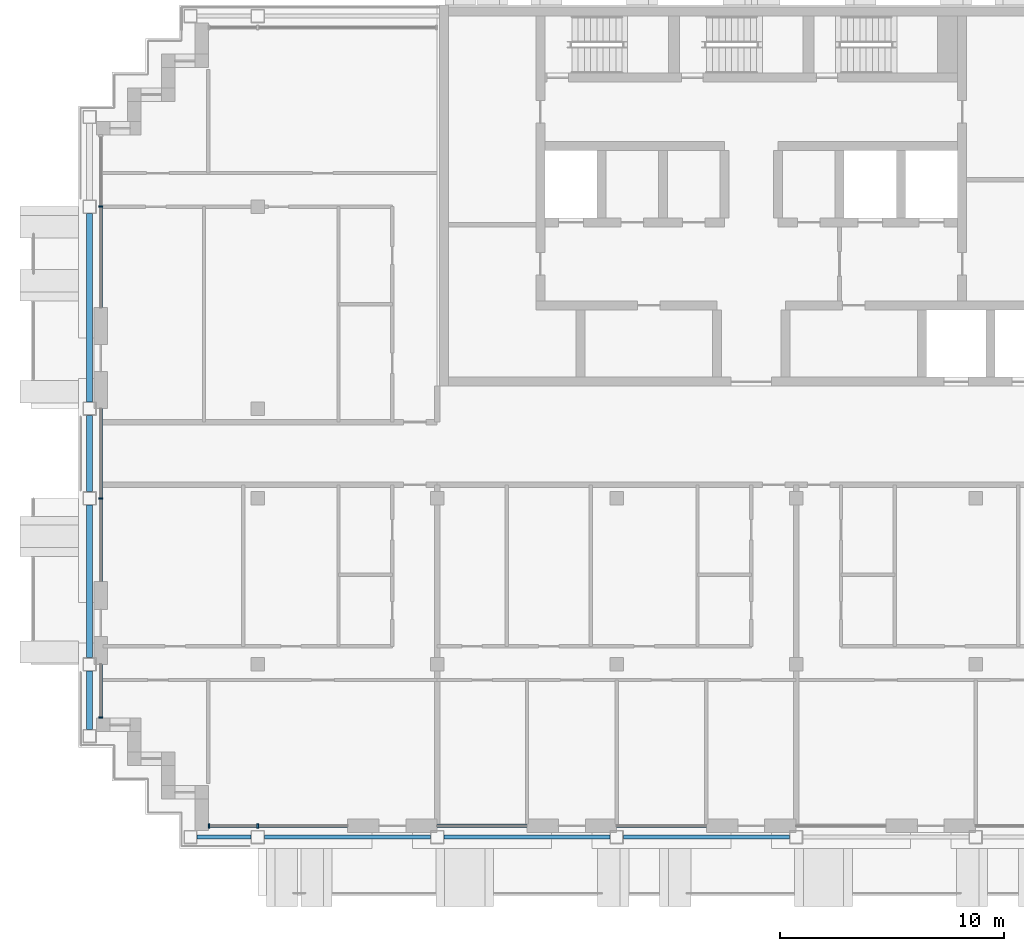
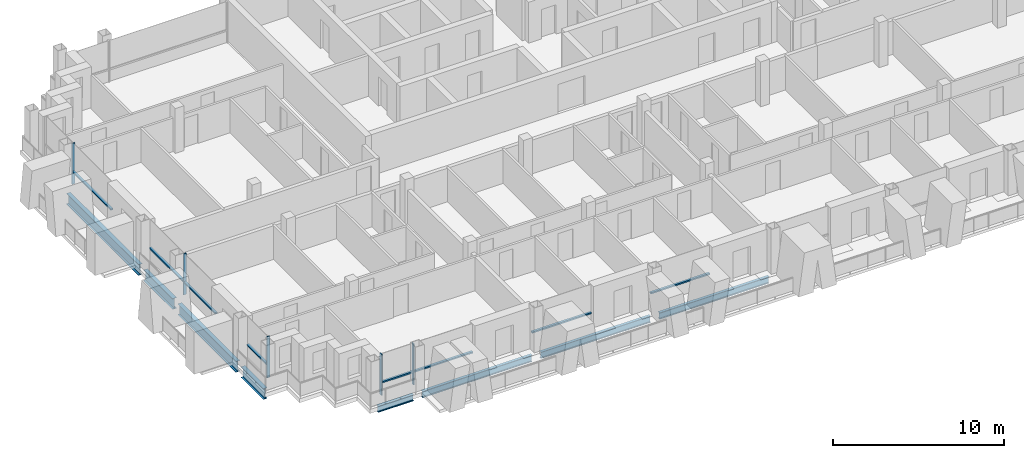
# One storey, part 2 of 15: 13 members, 8 beams, 6 elements without a shape of their own.
"""IFC4 building model written with IfcOpenShell, lengths in metres."""

import ifcopenshell
import ifcopenshell.guid

model = None  # the IFC model being written
_history = None  # IfcOwnerHistory: only IFC2X3 demands one
_inside = {}  # id of a spatial element -> (the spatial element, [elements in it])
_under = {}  # id of a project, library or spatial element -> (it, [spatial elements below it])
_declared = {}  # id of a project -> (the project, [libraries it declares])
_typed = {}  # id of a type object -> (the type object, [elements of that type])
_made_of = {}  # id of a material, layer set ... -> (it, [elements and type objects made of it])


def new_model(schema):
    """Start an empty IFC model of exactly this schema.

    Asked for "IFC4X3", IfcOpenShell would pick the latest addendum, in which some entities
    have other attributes; the version numbers below select the first issue.
    IFC2X3 requires an IfcOwnerHistory on every rooted entity: one is made here for all.
    """
    global model, _history
    if schema == "IFC4X3":
        model = ifcopenshell.file(schema_version=(4, 3, 0, 0))
    else:
        model = ifcopenshell.file(schema=schema)
    _inside.clear()
    _under.clear()
    _declared.clear()
    _typed.clear()
    _made_of.clear()
    _history = None
    if model.schema == "IFC2X3":
        org = make("IfcOrganization", Name="unknown")
        user = make(
            "IfcPersonAndOrganization",
            ThePerson=make("IfcPerson", FamilyName="unknown"),
            TheOrganization=org,
        )
        app = make(
            "IfcApplication",
            ApplicationDeveloper=org,
            Version="unknown",
            ApplicationFullName="unknown",
            ApplicationIdentifier="unknown",
        )
        _history = make(
            "IfcOwnerHistory",
            OwningUser=user,
            OwningApplication=app,
            ChangeAction="ADDED",
            CreationDate=0,
        )
    return model


def make(cls, **values):
    """One entity of the class cls with the attributes given. An attribute that is None is left unset."""
    return model.create_entity(
        cls, **{name: value for name, value in values.items() if value is not None}
    )


def rooted(cls, **values):
    """An entity with a GlobalId (a new one), such as an element, a storey or a relation."""
    return make(cls, GlobalId=ifcopenshell.guid.new(), OwnerHistory=_history, **values)


def si_unit(unit_type, name, prefix=None):
    """IfcSIUnit, for example si_unit("LENGTHUNIT", "METRE", prefix="MILLI")."""
    return make("IfcSIUnit", UnitType=unit_type, Prefix=prefix, Name=name)


def assignment(units):
    """IfcUnitAssignment: the units of a project."""
    return None if units is None else make("IfcUnitAssignment", Units=units)


def point(xyz):
    """IfcCartesianPoint."""
    return None if xyz is None else make("IfcCartesianPoint", Coordinates=xyz)


def direction(xyz):
    """IfcDirection."""
    return None if xyz is None else make("IfcDirection", DirectionRatios=xyz)


def frame(location, z_axis=None, x_axis=None):
    """IfcAxis2Placement3D, a coordinate frame: its origin and axes. An axis left out is left unset."""
    return make(
        "IfcAxis2Placement3D",
        Location=point(location),
        Axis=direction(z_axis),
        RefDirection=direction(x_axis),
    )


def frame_2d(location, x_axis=None):
    """IfcAxis2Placement2D, a coordinate frame in the plane: its origin and x axis."""
    return make(
        "IfcAxis2Placement2D", Location=point(location), RefDirection=direction(x_axis)
    )


def origin():
    """The frame at (0, 0, 0) with its axes left unset."""
    return frame((0.0, 0.0, 0.0))


def origin_2d():
    """The frame at (0, 0) in the plane with its x axis left unset."""
    return frame_2d((0.0, 0.0))


def place(relative_to, where):
    """IfcLocalPlacement: puts the frame where relative to a parent placement (None: the world)."""
    return make(
        "IfcLocalPlacement", PlacementRelTo=relative_to, RelativePlacement=where
    )


def context(
    kind, dimensions, precision=None, world=None, true_north=None, identifier=None
):
    """IfcGeometricRepresentationContext, for example the 3D "Model" context."""
    return make(
        "IfcGeometricRepresentationContext",
        ContextIdentifier=identifier,
        ContextType=kind,
        CoordinateSpaceDimension=dimensions,
        Precision=precision,
        WorldCoordinateSystem=world,
        TrueNorth=true_north,
    )


def subcontext(parent, identifier, kind, view, scale=None):
    """IfcGeometricRepresentationSubContext, for example "Body" below "Model"."""
    return make(
        "IfcGeometricRepresentationSubContext",
        ContextIdentifier=identifier,
        ContextType=kind,
        ParentContext=parent,
        TargetScale=scale,
        TargetView=view,
    )


def project(units=None, contexts=None):
    """IfcProject with its units and contexts."""
    return rooted(
        "IfcProject",
        Name="project",
        RepresentationContexts=contexts,
        UnitsInContext=assignment(units),
    )


def spatial(cls, under=None, at=None, **own):
    """A site, building, storey or space (cls), placed at a placement, below another one or the project."""
    s = rooted(cls, ObjectPlacement=at, **own)
    if under is not None:
        _under.setdefault(under.id(), (under, []))[1].append(s)
    return s


def profile(cls, at=None, kind="AREA", **sizes):
    """A parametric profile (cls). Its sizes go by their IFC names, for example OverallWidth=200.0."""
    return make(cls, ProfileType=kind, Position=at, **sizes)


def rectangle(**sizes):
    """IfcRectangleProfileDef."""
    return profile("IfcRectangleProfileDef", **sizes)


def i_section(**sizes):
    """IfcIShapeProfileDef."""
    return profile("IfcIShapeProfileDef", **sizes)


def extrude(swept, where, along, depth):
    """IfcExtrudedAreaSolid: the profile swept, set in the frame where, extruded along a direction by depth."""
    return make(
        "IfcExtrudedAreaSolid",
        SweptArea=swept,
        Position=where,
        ExtrudedDirection=direction(along),
        Depth=depth,
    )


def shape(context_of_items, identifier, shape_type, items):
    """IfcShapeRepresentation: the items that make up one representation, for example the "Body"."""
    return make(
        "IfcShapeRepresentation",
        ContextOfItems=context_of_items,
        RepresentationIdentifier=identifier,
        RepresentationType=shape_type,
        Items=items,
    )


def material(Name=None, Category=None):
    """IfcMaterial."""
    return make("IfcMaterial", Name=Name, Category=Category)


def material_profile(
    of_material, cross_section, Name=None, Category=None, Priority=None
):
    """IfcMaterialProfile: a cross section and its material."""
    return make(
        "IfcMaterialProfile",
        Name=Name,
        Material=of_material,
        Profile=cross_section,
        Priority=Priority,
        Category=Category,
    )


def profile_set(profiles, Name=None, composite=None):
    """IfcMaterialProfileSet."""
    return make(
        "IfcMaterialProfileSet",
        Name=Name,
        MaterialProfiles=profiles,
        CompositeProfile=composite,
    )


def made_of(thing, what):
    """Note that an element or type object is made of a material, layer set ...; save() writes the relation."""
    if what is not None:
        _made_of.setdefault(what.id(), (what, []))[1].append(thing)
    return thing


def type_object(cls, material=None, **own):
    """A type object (cls), such as IfcWallType, which elements share."""
    return made_of(rooted(cls, **own), material)


def element(
    cls,
    number,
    at=None,
    inside=None,
    cuts=None,
    type_object=None,
    material=None,
    context=None,
    identifier="Body",
    shape_type=None,
    held_by="IfcProductDefinitionShape",
    body=None,
    shapes=None,
    **own,
):
    """One element of the class cls, such as IfcWall. Its Tag is "e" and its number.

    at: its placement. inside: the storey or other place that contains it. cuts: it is an
    opening in that element (IfcRelVoidsElement). A single representation is given by context,
    identifier, shape_type and body (its items); several are given by shapes. held_by: the class
    of the entity that holds the representations. save() writes the other relations.
    """
    e = rooted(cls, Tag="e%d" % number, ObjectPlacement=at, **own)
    if body is not None:
        shapes = [shape(context, identifier, shape_type, body)]
    if shapes is not None:
        e.Representation = make(held_by, Representations=shapes)
    if inside is not None:
        _inside.setdefault(inside.id(), (inside, []))[1].append(e)
    if cuts is not None:
        rooted(
            "IfcRelVoidsElement", RelatingBuildingElement=cuts, RelatedOpeningElement=e
        )
    if type_object is not None:
        _typed.setdefault(type_object.id(), (type_object, []))[1].append(e)
    return made_of(e, material)


def aggregate(whole, parts):
    """IfcRelAggregates: a whole, such as a stair, and the parts it consists of."""
    return rooted("IfcRelAggregates", RelatingObject=whole, RelatedObjects=parts)


def save(model, path):
    """Write the relations noted so far, then the file.

    IfcRelAggregates (storeys below a building ...), IfcRelContainedInSpatialStructure (elements
    in a storey), IfcRelDefinesByType, IfcRelAssociatesMaterial and IfcRelDeclares: one each for
    every whole, place, type object, material and project.
    """
    for whole, parts in _under.values():
        aggregate(whole, parts)
    for where, things in _inside.values():
        rooted(
            "IfcRelContainedInSpatialStructure",
            RelatedElements=things,
            RelatingStructure=where,
        )
    for kind, things in _typed.values():
        rooted("IfcRelDefinesByType", RelatedObjects=things, RelatingType=kind)
    for what, things in _made_of.values():
        rooted("IfcRelAssociatesMaterial", RelatedObjects=things, RelatingMaterial=what)
    for by, libraries in _declared.values():
        rooted("IfcRelDeclares", RelatingContext=by, RelatedDefinitions=libraries)
    model.write(path)


model = new_model("IFC4")

# Units and contexts
model_context = context("Model", 3, precision=1e-05, world=origin(), true_north=direction((0.0, 1.0)))
body_context = subcontext(model_context, "Body", "Model", "MODEL_VIEW")
ifc_project = project(units=[si_unit("LENGTHUNIT", "METRE"), si_unit("AREAUNIT", "SQUARE_METRE"), si_unit("VOLUMEUNIT", "CUBIC_METRE"), si_unit("PLANEANGLEUNIT", "RADIAN"), si_unit("MASSUNIT", "GRAM", prefix="KILO")], contexts=[model_context])

# Site, building, storey
site_placement = place(None, origin())
site = spatial("IfcSite", under=ifc_project, at=site_placement, CompositionType="ELEMENT")
building_placement = place(site_placement, origin())
building = spatial("IfcBuilding", under=site, at=building_placement, Name="Vidyagriha Tower", CompositionType="ELEMENT")
storey_placement = place(building_placement, frame((0.0, 0.0, 233.199951171875)))
storey = spatial("IfcBuildingStorey", under=building, at=storey_placement, Name="L61", CompositionType="ELEMENT", Elevation=233.199951171875)

# Beams
ifc_material_1 = material(Name="Steel ASTM A992 Grade 50", Category="steel")
ifc_material_profile_1 = material_profile(ifc_material_1, i_section(OverallWidth=0.2666015625, OverallDepth=0.76953125, WebThickness=0.015625, FlangeThickness=0.025390625, at=origin_2d()), Name="W30X132")
ifc_profile_set_1 = profile_set([ifc_material_profile_1], Name="Steel ASTM A992 Grade 50")
beam_type_1 = type_object("IfcBeamType", Name="Cantilever edge beam W30X132", PredefinedType="SPANDREL", material=ifc_profile_set_1)
beam_1_placement = place(storey_placement, frame((-29.5, -12.300048828125, -0.664794921875), z_axis=(0.0, 1.0, 0.0), x_axis=(-1.0, 0.0, 0.0)))
element("IfcBeam", 1, at=beam_1_placement, inside=storey, type_object=beam_type_1, Name="st-beam-L61-W08", PredefinedType="SPANDREL", context=body_context, shape_type="SweptSolid", body=[
    extrude(i_section(OverallWidth=0.2666015625, OverallDepth=0.76953125, WebThickness=0.015625, FlangeThickness=0.025390625, at=origin_2d()), origin(), (0.0, 0.0, 1.0), 2.60009765625),
])
beam_2_placement = place(storey_placement, frame((-29.5, -9.10009765625, -0.664794921875), z_axis=(0.0, 1.0, 0.0), x_axis=(-1.0, 0.0, 0.0)))
element("IfcBeam", 2, at=beam_2_placement, inside=storey, type_object=beam_type_1, Name="st-beam-L61-W09", PredefinedType="SPANDREL", context=body_context, shape_type="SweptSolid", body=[
    extrude(i_section(OverallWidth=0.2666015625, OverallDepth=0.76953125, WebThickness=0.015625, FlangeThickness=0.025390625, at=origin_2d()), origin(), (0.0, 0.0, 1.0), 6.800048828125),
])
beam_3_placement = place(storey_placement, frame((-29.5, -1.699951171875, -0.664794921875), z_axis=(0.0, 1.0, 0.0), x_axis=(-1.0, 0.0, 0.0)))
element("IfcBeam", 3, at=beam_3_placement, inside=storey, type_object=beam_type_1, Name="st-beam-L61-W10", PredefinedType="SPANDREL", context=body_context, shape_type="SweptSolid", body=[
    extrude(i_section(OverallWidth=0.2666015625, OverallDepth=0.76953125, WebThickness=0.015625, FlangeThickness=0.025390625, at=origin_2d()), origin(), (0.0, 0.0, 1.0), 3.39990234375),
])
beam_4_placement = place(storey_placement, frame((-29.5, 2.300048828125, -0.664794921875), z_axis=(0.0, 1.0, 0.0), x_axis=(-1.0, 0.0, 0.0)))
element("IfcBeam", 4, at=beam_4_placement, inside=storey, type_object=beam_type_1, Name="st-beam-L61-W11", PredefinedType="SPANDREL", context=body_context, shape_type="SweptSolid", body=[
    extrude(i_section(OverallWidth=0.2666015625, OverallDepth=0.76953125, WebThickness=0.015625, FlangeThickness=0.025390625, at=origin_2d()), origin(), (0.0, 0.0, 1.0), 8.39990234375),
])
ifc_material_2 = material(Name="Steel ASTM A992 Grade 50", Category="steel")
ifc_material_profile_2 = material_profile(ifc_material_2, i_section(OverallWidth=0.19189453125, OverallDepth=0.46240234375, WebThickness=0.010498046875, FlangeThickness=0.017578125, at=origin_2d()), Name="W18X60")
ifc_profile_set_2 = profile_set([ifc_material_profile_2], Name="Steel ASTM A992 Grade 50")
beam_type_2 = type_object("IfcBeamType", Name="Edge beam W18X60", PredefinedType="SPANDREL", material=ifc_profile_set_2)
beam_5_placement = place(storey_placement, frame((-24.699951171875, -17.10009765625, -0.510986328125), z_axis=(1.0, 0.0, 0.0), x_axis=(0.0, 1.0, 0.0)))
element("IfcBeam", 5, at=beam_5_placement, inside=storey, type_object=beam_type_2, Name="st-beam-L61-S01", PredefinedType="SPANDREL", context=body_context, shape_type="SweptSolid", body=[
    extrude(i_section(OverallWidth=0.19189453125, OverallDepth=0.46240234375, WebThickness=0.010498046875, FlangeThickness=0.017578125, at=origin_2d()), origin(), (0.0, 0.0, 1.0), 2.39990234375),
])
for number, where, z_axis, x_axis, name in (
    (6, (-21.699951171875, -17.10009765625, -0.510986328125), (1.0, 0.0, 0.0), (0.0, 1.0, 0.0), "st-beam-L61-S02"),
    (7, (-13.699951171875, -17.10009765625, -0.510986328125), (1.0, 0.0, 0.0), (0.0, 1.0, 0.0), "st-beam-L61-S03"),
    (8, (-5.699951171875, -17.10009765625, -0.510986328125), (1.0, 0.0, 0.0), (0.0, 1.0, 0.0), "st-beam-L61-S04"),
):
    element("IfcBeam", number, at=place(storey_placement, frame(where, z_axis=z_axis, x_axis=x_axis)), inside=storey, type_object=beam_type_2, Name=name, PredefinedType="SPANDREL", context=body_context, shape_type="SweptSolid", body=[
        extrude(i_section(OverallWidth=0.19189453125, OverallDepth=0.46240234375, WebThickness=0.010498046875, FlangeThickness=0.017578125, at=origin_2d()), origin(), (0.0, 0.0, 1.0), 7.39990234375),
    ])

# Curtain wall, member
ifc_material_3 = material(Name="Aluminium and glass curtain wall", Category="aluminium")
curtain_wall_type = type_object("IfcCurtainWallType", Name="Dwelling skin unitised curtain wall", PredefinedType="USERDEFINED", material=ifc_material_3)
curtain_wall_1_placement = place(storey_placement, origin())
curtain_wall_1 = element("IfcCurtainWall", 9, at=curtain_wall_1_placement, inside=storey, type_object=curtain_wall_type, Name="CW1 dwelling skin", ObjectType="UNITISED", PredefinedType="USERDEFINED")
ifc_material_4 = material(Name="Aluminium black anodised", Category="aluminium")
ifc_material_profile_3 = material_profile(ifc_material_4, rectangle(XDim=0.199951171875, YDim=0.070068359375, at=origin_2d()), Name="Mullion 70x200 black aluminium")
ifc_profile_set_3 = profile_set([ifc_material_profile_3], Name="Aluminium black anodised")
member_type_1 = type_object("IfcMemberType", Name="Mullion 70x200 black aluminium", PredefinedType="MULLION", material=ifc_profile_set_3)
member_1_placement = place(storey_placement, frame((-29.0, 11.0, 0.0)))
member_1 = element("IfcMember", 10, at=member_1_placement, type_object=member_type_1, Name="CW1 mullion 2", PredefinedType="MULLION", context=body_context, shape_type="SweptSolid", body=[
    extrude(rectangle(XDim=0.199951171875, YDim=0.070068359375, at=origin_2d()), origin(), (0.0, 0.0, 1.0), 2.920166015625),
])

curtain_wall_2_placement = place(storey_placement, origin())
curtain_wall_2 = element("IfcCurtainWall", 11, at=curtain_wall_2_placement, inside=storey, type_object=curtain_wall_type, Name="CW1 dwelling skin", ObjectType="UNITISED", PredefinedType="USERDEFINED")
member_2_placement = place(storey_placement, frame((-29.0, -2.0, 0.0)))
member_2 = element("IfcMember", 12, at=member_2_placement, type_object=member_type_1, Name="CW1 mullion 2", PredefinedType="MULLION", context=body_context, shape_type="SweptSolid", body=[
    extrude(rectangle(XDim=0.199951171875, YDim=0.070068359375, at=origin_2d()), origin(), (0.0, 0.0, 1.0), 2.920166015625),
])

curtain_wall_3_placement = place(storey_placement, origin())
curtain_wall_3 = element("IfcCurtainWall", 13, at=curtain_wall_3_placement, inside=storey, type_object=curtain_wall_type, Name="CW1 dwelling skin", ObjectType="UNITISED", PredefinedType="USERDEFINED")
member_3_placement = place(storey_placement, frame((-29.0, -11.764892578125, 0.0)))
member_3 = element("IfcMember", 14, at=member_3_placement, type_object=member_type_1, Name="CW1 mullion 2", PredefinedType="MULLION", context=body_context, shape_type="SweptSolid", body=[
    extrude(rectangle(XDim=0.199951171875, YDim=0.070068359375, at=origin_2d()), origin(), (0.0, 0.0, 1.0), 2.920166015625),
])

# Curtain wall, members
curtain_wall_4_placement = place(storey_placement, origin())
curtain_wall_4 = element("IfcCurtainWall", 15, at=curtain_wall_4_placement, inside=storey, type_object=curtain_wall_type, Name="CW1 dwelling skin", ObjectType="UNITISED", PredefinedType="USERDEFINED")
member_4_placement = place(storey_placement, frame((-24.1650390625, -16.60009765625, 0.0), z_axis=(0.0, 0.0, 1.0), x_axis=(0.0, 1.0, 0.0)))
member_4 = element("IfcMember", 16, at=member_4_placement, type_object=member_type_1, Name="CW1 mullion 1", PredefinedType="MULLION", context=body_context, shape_type="SweptSolid", body=[
    extrude(rectangle(XDim=0.199951171875, YDim=0.070068359375, at=origin_2d()), origin(), (0.0, 0.0, 1.0), 2.920166015625),
])
member_5_placement = place(storey_placement, frame((-22.0, -16.60009765625, 0.0), z_axis=(0.0, 0.0, 1.0), x_axis=(0.0, 1.0, 0.0)))
member_5 = element("IfcMember", 17, at=member_5_placement, type_object=member_type_1, Name="CW1 mullion 2", PredefinedType="MULLION", context=body_context, shape_type="SweptSolid", body=[
    extrude(rectangle(XDim=0.199951171875, YDim=0.070068359375, at=origin_2d()), origin(), (0.0, 0.0, 1.0), 2.920166015625),
])

# Member
ifc_material_5 = material(Name="Aluminium black anodised", Category="aluminium")
ifc_material_profile_4 = material_profile(ifc_material_5, rectangle(XDim=0.159912109375, YDim=0.10009765625, at=origin_2d()), Name="Transom 100x160 black aluminium")
ifc_profile_set_4 = profile_set([ifc_material_profile_4], Name="Aluminium black anodised")
member_type_2 = type_object("IfcMemberType", Name="Transom 100x160 black aluminium", PredefinedType="USERDEFINED", material=ifc_profile_set_4)
member_6_placement = place(storey_placement, frame((-29.0, 10.965087890625, 0.900146484375), z_axis=(0.0, -1.0, 0.0), x_axis=(1.0, 0.0, 0.0)))
member_6 = element("IfcMember", 18, at=member_6_placement, type_object=member_type_2, Name="CW1 transom 2.1", ObjectType="TRANSOM", PredefinedType="USERDEFINED", context=body_context, shape_type="SweptSolid", body=[
    extrude(rectangle(XDim=0.159912109375, YDim=0.10009765625, at=origin_2d()), origin(), (0.0, 0.0, 1.0), 4.465087890625),
])

aggregate(curtain_wall_1, [member_1, member_6])

member_7_placement = place(storey_placement, frame((-29.0, 2.0, 0.900146484375), z_axis=(0.0, -1.0, 0.0), x_axis=(1.0, 0.0, 0.0)))
member_7 = element("IfcMember", 19, at=member_7_placement, type_object=member_type_2, Name="CW1 transom 1.1", ObjectType="TRANSOM", PredefinedType="USERDEFINED", context=body_context, shape_type="SweptSolid", body=[
    extrude(rectangle(XDim=0.159912109375, YDim=0.10009765625, at=origin_2d()), origin(), (0.0, 0.0, 1.0), 3.965087890625),
])

member_8_placement = place(storey_placement, frame((-29.0, -2.034912109375, 0.900146484375), z_axis=(0.0, -1.0, 0.0), x_axis=(1.0, 0.0, 0.0)))
member_8 = element("IfcMember", 20, at=member_8_placement, type_object=member_type_2, Name="CW1 transom 2.1", ObjectType="TRANSOM", PredefinedType="USERDEFINED", context=body_context, shape_type="SweptSolid", body=[
    extrude(rectangle(XDim=0.159912109375, YDim=0.10009765625, at=origin_2d()), origin(), (0.0, 0.0, 1.0), 3.6650390625),
])

aggregate(curtain_wall_2, [member_2, member_7, member_8])

member_9_placement = place(storey_placement, frame((-29.0, -9.39990234375, 0.900146484375), z_axis=(0.0, -1.0, 0.0), x_axis=(1.0, 0.0, 0.0)))
member_9 = element("IfcMember", 21, at=member_9_placement, type_object=member_type_2, Name="CW1 transom 1.1", ObjectType="TRANSOM", PredefinedType="USERDEFINED", context=body_context, shape_type="SweptSolid", body=[
    extrude(rectangle(XDim=0.159912109375, YDim=0.10009765625, at=origin_2d()), origin(), (0.0, 0.0, 1.0), 2.330078125),
])

aggregate(curtain_wall_3, [member_3, member_9])

member_10_placement = place(storey_placement, frame((-24.1298828125, -16.60009765625, 0.900146484375), z_axis=(1.0, 0.0, 0.0), x_axis=(0.0, 1.0, 0.0)))
member_10 = element("IfcMember", 22, at=member_10_placement, type_object=member_type_2, Name="CW1 transom 1.1", ObjectType="TRANSOM", PredefinedType="USERDEFINED", context=body_context, shape_type="SweptSolid", body=[
    extrude(rectangle(XDim=0.159912109375, YDim=0.10009765625, at=origin_2d()), origin(), (0.0, 0.0, 1.0), 2.094970703125),
])

member_11_placement = place(storey_placement, frame((-21.965087890625, -16.60009765625, 0.900146484375), z_axis=(1.0, 0.0, 0.0), x_axis=(0.0, 1.0, 0.0)))
member_11 = element("IfcMember", 23, at=member_11_placement, type_object=member_type_2, Name="CW1 transom 2.1", ObjectType="TRANSOM", PredefinedType="USERDEFINED", context=body_context, shape_type="SweptSolid", body=[
    extrude(rectangle(XDim=0.159912109375, YDim=0.10009765625, at=origin_2d()), origin(), (0.0, 0.0, 1.0), 3.965087890625),
])

aggregate(curtain_wall_4, [member_4, member_5, member_10, member_11])

# Curtain wall, member
curtain_wall_5_placement = place(storey_placement, origin())
curtain_wall_5 = element("IfcCurtainWall", 24, at=curtain_wall_5_placement, inside=storey, type_object=curtain_wall_type, Name="CW1 dwelling skin", ObjectType="UNITISED", PredefinedType="USERDEFINED")
member_12_placement = place(storey_placement, frame((-14.0, -16.60009765625, 0.900146484375), z_axis=(1.0, 0.0, 0.0), x_axis=(0.0, 1.0, 0.0)))
member_12 = element("IfcMember", 25, at=member_12_placement, type_object=member_type_2, Name="CW1 transom 1.1", ObjectType="TRANSOM", PredefinedType="USERDEFINED", context=body_context, shape_type="SweptSolid", body=[
    extrude(rectangle(XDim=0.159912109375, YDim=0.10009765625, at=origin_2d()), origin(), (0.0, 0.0, 1.0), 4.0),
])
aggregate(curtain_wall_5, [member_12])

curtain_wall_6_placement = place(storey_placement, origin())
curtain_wall_6 = element("IfcCurtainWall", 26, at=curtain_wall_6_placement, inside=storey, type_object=curtain_wall_type, Name="CW1 dwelling skin", ObjectType="UNITISED", PredefinedType="USERDEFINED")
member_13_placement = place(storey_placement, frame((-6.0, -16.60009765625, 0.900146484375), z_axis=(1.0, 0.0, 0.0), x_axis=(0.0, 1.0, 0.0)))
member_13 = element("IfcMember", 27, at=member_13_placement, type_object=member_type_2, Name="CW1 transom 1.1", ObjectType="TRANSOM", PredefinedType="USERDEFINED", context=body_context, shape_type="SweptSolid", body=[
    extrude(rectangle(XDim=0.159912109375, YDim=0.10009765625, at=origin_2d()), origin(), (0.0, 0.0, 1.0), 4.0),
])
aggregate(curtain_wall_6, [member_13])

save(model, "model.ifc")
